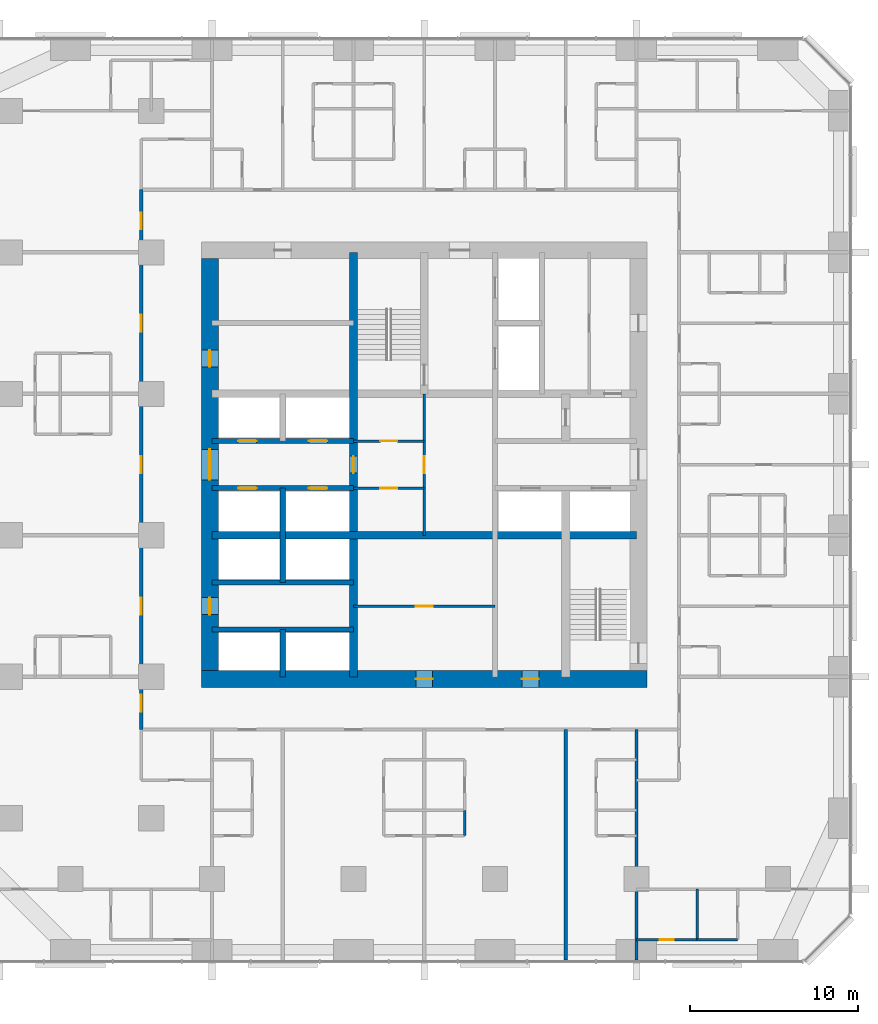
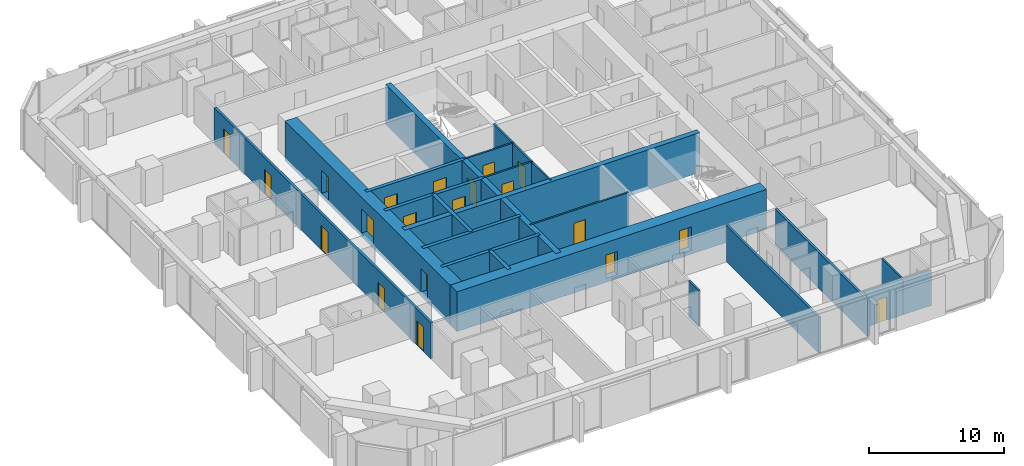
# One storey, part 9 of 14: 21 walls, 20 doors, 20 openings.
"""IFC4 building model written with IfcOpenShell, lengths in metres."""

from ifc_helpers import new_model, si_unit, direction, frame, frame_2d, origin, place, context, subcontext, project, spatial, rectangle, extrude, material, layer, layer_set, type_object, element, fill, save


model = new_model("IFC4")

# Units and contexts
model_context = context("Model", 3, precision=1e-05, world=origin(), true_north=direction((0.0, 1.0)))
body_context = subcontext(model_context, "Body", "Model", "MODEL_VIEW")
ifc_project = project(units=[si_unit("LENGTHUNIT", "METRE"), si_unit("AREAUNIT", "SQUARE_METRE"), si_unit("VOLUMEUNIT", "CUBIC_METRE"), si_unit("PLANEANGLEUNIT", "RADIAN"), si_unit("MASSUNIT", "GRAM", prefix="KILO")], contexts=[model_context])

# Site, building, storey
site_placement = place(None, origin())
site = spatial("IfcSite", under=ifc_project, at=site_placement, CompositionType="ELEMENT")
building_placement = place(site_placement, origin())
building = spatial("IfcBuilding", under=site, at=building_placement, Name="Dunama Terrace Hotel", CompositionType="ELEMENT")
storey_placement = place(building_placement, frame((0.0, 0.0, 129.60009765625)))
storey = spatial("IfcBuildingStorey", under=building, at=storey_placement, Name="L33", CompositionType="ELEMENT", Elevation=129.60009765625)

# Wall, opening, door
ifc_material_1 = material(Name="Gypsum board partition", Category="masonry")
ifc_layer_1 = layer(ifc_material_1, 0.14990234375)
ifc_layer_set_1 = layer_set([ifc_layer_1], Name="Bathroom partition 150")
wall_type_1 = type_object("IfcWallType", Name="Bathroom partition 150", PredefinedType="PARTITIONING", material=ifc_layer_set_1)
wall_1_placement = place(storey_placement, frame((42.0, 1.199951171875, 0.0), z_axis=(0.0, 0.0, 1.0), x_axis=(1.0, 0.0, 0.0)))
wall_1 = element("IfcWall", 1, at=wall_1_placement, inside=storey, type_object=wall_type_1, Name="Bathroom partition 150 L33", PredefinedType="PARTITIONING", context=body_context, shape_type="SweptSolid", body=[
    extrude(rectangle(XDim=3.60009765625, YDim=0.14990234375, at=frame_2d((1.800048828125, 0.0))), origin(), (0.0, 0.0, 1.0), 3.25),
])
opening_1_placement = place(wall_1_placement, frame((1.375, 0.0, 0.0)))
opening_1 = element("IfcOpeningElement", 2, at=opening_1_placement, cuts=wall_1, Name="Opening L31-33-070", PredefinedType="OPENING", context=body_context, shape_type="SweptSolid", body=[
    extrude(rectangle(XDim=0.85009765625, YDim=2.10009765625, at=frame_2d((0.425048828125, 1.050048828125))), frame((0.0, 0.0849609375, 0.0), z_axis=(0.0, -1.0, 0.0), x_axis=(1.0, 0.0, 0.0)), (0.0, 0.0, 1.0), 0.169921875),
])
ifc_material_2 = material(Name="Timber door with steel frame", Category="steel")
door_type_1 = type_object("IfcDoorType", Name="Bathroom door 850", OperationType="SINGLE_SWING_LEFT", PredefinedType="DOOR", material=ifc_material_2)
door_1_placement = place(opening_1_placement, origin())
door_1 = element("IfcDoor", 3, at=door_1_placement, inside=storey, type_object=door_type_1, Name="Door to en-suite bathroom L31-33-070, type D2", OperationType="SINGLE_SWING_LEFT", OverallHeight=2.10009765625, OverallWidth=0.85009765625, PredefinedType="DOOR", context=body_context, shape_type="SweptSolid", body=[
    extrude(rectangle(XDim=0.85009765625, YDim=2.10009765625, at=frame_2d((0.425048828125, 1.050048828125))), frame((0.0, 0.02490234375, 0.0), z_axis=(0.0, -1.0, 0.0), x_axis=(1.0, 0.0, 0.0)), (0.0, 0.0, 1.0), 0.050048828125),
])
fill(opening_1, door_1)

# Walls
ifc_material_3 = material(Name="Concrete C50/60", Category="concrete")
ifc_layer_2 = layer(ifc_material_3, 0.300048828125)
ifc_layer_set_2 = layer_set([ifc_layer_2], Name="Core inner wall 300")
wall_type_2 = type_object("IfcWallType", Name="Core inner wall 300", PredefinedType="SHEAR", material=ifc_layer_set_2)
wall_2_placement = place(storey_placement, frame((21.0, 16.800048828125, -0.35009765625), z_axis=(0.0, 0.0, 1.0), x_axis=(0.0, 1.0, 0.0)))
element("IfcWall", 4, at=wall_2_placement, inside=storey, type_object=wall_type_2, Name="Core inner wall 300 L33", PredefinedType="SHEAR", context=body_context, shape_type="SweptSolid", body=[
    extrude(rectangle(XDim=2.800048828125, YDim=0.300048828125, at=frame_2d((1.39990234375, 0.0))), origin(), (0.0, 0.0, 1.0), 3.60009765625),
])
wall_3_placement = place(storey_placement, frame((21.0, 22.39990234375, -0.35009765625), z_axis=(0.0, 0.0, 1.0), x_axis=(0.0, 1.0, 0.0)))
element("IfcWall", 5, at=wall_3_placement, inside=storey, type_object=wall_type_2, Name="Core inner wall 300 L33", PredefinedType="SHEAR", context=body_context, shape_type="SweptSolid", body=[
    extrude(rectangle(XDim=5.60009765625, YDim=0.300048828125, at=frame_2d((2.800048828125, 0.0))), origin(), (0.0, 0.0, 1.0), 3.60009765625),
])
for number, where, z_axis, x_axis, name in (
    (6, (16.800048828125, 19.60009765625, -0.35009765625), (0.0, 0.0, 1.0), (1.0, 0.0, 0.0), "Core inner wall 300 L33"),
    (7, (16.800048828125, 22.39990234375, -0.35009765625), (0.0, 0.0, 1.0), (1.0, 0.0, 0.0), "Core inner wall 300 L33"),
):
    element("IfcWall", number, at=place(storey_placement, frame(where, z_axis=z_axis, x_axis=x_axis)), inside=storey, type_object=wall_type_2, Name=name, PredefinedType="SHEAR", context=body_context, shape_type="SweptSolid", body=[
        extrude(rectangle(XDim=8.39990234375, YDim=0.300048828125, at=frame_2d((4.199951171875, 0.0))), origin(), (0.0, 0.0, 1.0), 3.60009765625),
    ])

# Wall, openings, doors
wall_4_placement = place(storey_placement, frame((16.800048828125, 28.0, -0.35009765625), z_axis=(0.0, 0.0, 1.0), x_axis=(1.0, 0.0, 0.0)))
wall_4 = element("IfcWall", 8, at=wall_4_placement, inside=storey, type_object=wall_type_2, Name="Core inner wall 300 L33", PredefinedType="SHEAR", context=body_context, shape_type="SweptSolid", body=[
    extrude(rectangle(XDim=8.39990234375, YDim=0.300048828125, at=frame_2d((4.199951171875, 0.0))), origin(), (0.0, 0.0, 1.0), 3.60009765625),
])
opening_2_placement = place(wall_4_placement, frame((1.550048828125, 0.0, 0.35009765625)))
opening_2 = element("IfcOpeningElement", 9, at=opening_2_placement, cuts=wall_4, Name="Opening L31-33-005", PredefinedType="OPENING", context=body_context, shape_type="SweptSolid", body=[
    extrude(rectangle(XDim=1.10009765625, YDim=2.199951171875, at=frame_2d((0.550048828125, 1.10009765625))), frame((0.0, 0.159912109375, 0.0), z_axis=(0.0, -1.0, 0.0), x_axis=(1.0, 0.0, 0.0)), (0.0, 0.0, 1.0), 0.320068359375),
])
opening_3_placement = place(wall_4_placement, frame((5.75, 0.0, 0.35009765625)))
opening_3 = element("IfcOpeningElement", 10, at=opening_3_placement, cuts=wall_4, Name="Opening L31-33-006", PredefinedType="OPENING", context=body_context, shape_type="SweptSolid", body=[
    extrude(rectangle(XDim=1.10009765625, YDim=2.199951171875, at=frame_2d((0.550048828125, 1.10009765625))), frame((0.0, 0.159912109375, 0.0), z_axis=(0.0, -1.0, 0.0), x_axis=(1.0, 0.0, 0.0)), (0.0, 0.0, 1.0), 0.320068359375),
])
ifc_material_4 = material(Name="Stainless steel lift door", Category="steel")
door_type_2 = type_object("IfcDoorType", Name="Lift landing door 1100", OperationType="DOUBLE_DOOR_SLIDING", PredefinedType="DOOR", material=ifc_material_4)
door_2_placement = place(opening_2_placement, origin())
door_2 = element("IfcDoor", 11, at=door_2_placement, inside=storey, type_object=door_type_2, Name="Landing door PC1 L31-33-005, type LD1", OperationType="DOUBLE_DOOR_SLIDING", OverallHeight=2.199951171875, OverallWidth=1.10009765625, PredefinedType="DOOR", context=body_context, shape_type="SweptSolid", body=[
    extrude(rectangle(XDim=1.10009765625, YDim=2.199951171875, at=frame_2d((0.550048828125, 1.10009765625))), frame((0.0, 0.02490234375, 0.0), z_axis=(0.0, -1.0, 0.0), x_axis=(1.0, 0.0, 0.0)), (0.0, 0.0, 1.0), 0.050048828125),
])
fill(opening_2, door_2)
door_3_placement = place(opening_3_placement, origin())
door_3 = element("IfcDoor", 12, at=door_3_placement, inside=storey, type_object=door_type_2, Name="Landing door PC2 L31-33-006, type LD1", OperationType="DOUBLE_DOOR_SLIDING", OverallHeight=2.199951171875, OverallWidth=1.10009765625, PredefinedType="DOOR", context=body_context, shape_type="SweptSolid", body=[
    extrude(rectangle(XDim=1.10009765625, YDim=2.199951171875, at=frame_2d((0.550048828125, 1.10009765625))), frame((0.0, 0.02490234375, 0.0), z_axis=(0.0, -1.0, 0.0), x_axis=(1.0, 0.0, 0.0)), (0.0, 0.0, 1.0), 0.050048828125),
])
fill(opening_3, door_3)

wall_5_placement = place(storey_placement, frame((16.800048828125, 30.800048828125, -0.35009765625), z_axis=(0.0, 0.0, 1.0), x_axis=(1.0, 0.0, 0.0)))
wall_5 = element("IfcWall", 13, at=wall_5_placement, inside=storey, type_object=wall_type_2, Name="Core inner wall 300 L33", PredefinedType="SHEAR", context=body_context, shape_type="SweptSolid", body=[
    extrude(rectangle(XDim=8.39990234375, YDim=0.300048828125, at=frame_2d((4.199951171875, 0.0))), origin(), (0.0, 0.0, 1.0), 3.60009765625),
])
opening_4_placement = place(wall_5_placement, frame((1.550048828125, 0.0, 0.35009765625)))
opening_4 = element("IfcOpeningElement", 14, at=opening_4_placement, cuts=wall_5, Name="Opening L31-33-007", PredefinedType="OPENING", context=body_context, shape_type="SweptSolid", body=[
    extrude(rectangle(XDim=1.10009765625, YDim=2.199951171875, at=frame_2d((0.550048828125, 1.10009765625))), frame((0.0, 0.159912109375, 0.0), z_axis=(0.0, -1.0, 0.0), x_axis=(1.0, 0.0, 0.0)), (0.0, 0.0, 1.0), 0.320068359375),
])
opening_5_placement = place(wall_5_placement, frame((5.75, 0.0, 0.35009765625)))
opening_5 = element("IfcOpeningElement", 15, at=opening_5_placement, cuts=wall_5, Name="Opening L31-33-008", PredefinedType="OPENING", context=body_context, shape_type="SweptSolid", body=[
    extrude(rectangle(XDim=1.10009765625, YDim=2.199951171875, at=frame_2d((0.550048828125, 1.10009765625))), frame((0.0, 0.159912109375, 0.0), z_axis=(0.0, -1.0, 0.0), x_axis=(1.0, 0.0, 0.0)), (0.0, 0.0, 1.0), 0.320068359375),
])
door_4_placement = place(opening_4_placement, origin())
door_4 = element("IfcDoor", 16, at=door_4_placement, inside=storey, type_object=door_type_2, Name="Landing door PC3 L31-33-007, type LD1", OperationType="DOUBLE_DOOR_SLIDING", OverallHeight=2.199951171875, OverallWidth=1.10009765625, PredefinedType="DOOR", context=body_context, shape_type="SweptSolid", body=[
    extrude(rectangle(XDim=1.10009765625, YDim=2.199951171875, at=frame_2d((0.550048828125, 1.10009765625))), frame((0.0, 0.02490234375, 0.0), z_axis=(0.0, -1.0, 0.0), x_axis=(1.0, 0.0, 0.0)), (0.0, 0.0, 1.0), 0.050048828125),
])
fill(opening_4, door_4)
door_5_placement = place(opening_5_placement, origin())
door_5 = element("IfcDoor", 17, at=door_5_placement, inside=storey, type_object=door_type_2, Name="Landing door PC4 L31-33-008, type LD1", OperationType="DOUBLE_DOOR_SLIDING", OverallHeight=2.199951171875, OverallWidth=1.10009765625, PredefinedType="DOOR", context=body_context, shape_type="SweptSolid", body=[
    extrude(rectangle(XDim=1.10009765625, YDim=2.199951171875, at=frame_2d((0.550048828125, 1.10009765625))), frame((0.0, 0.02490234375, 0.0), z_axis=(0.0, -1.0, 0.0), x_axis=(1.0, 0.0, 0.0)), (0.0, 0.0, 1.0), 0.050048828125),
])
fill(opening_5, door_5)

# Wall, opening, door
ifc_material_5 = material(Name="Concrete C50/60", Category="concrete")
ifc_layer_3 = layer(ifc_material_5, 0.449951171875)
ifc_layer_set_3 = layer_set([ifc_layer_3], Name="Core inner wall 450")
wall_type_3 = type_object("IfcWallType", Name="Core inner wall 450", PredefinedType="SHEAR", material=ifc_layer_set_3)
wall_6_placement = place(storey_placement, frame((25.199951171875, 16.800048828125, -0.35009765625), z_axis=(0.0, 0.0, 1.0), x_axis=(0.0, 1.0, 0.0)))
wall_6 = element("IfcWall", 18, at=wall_6_placement, inside=storey, type_object=wall_type_3, Name="Core inner wall 450 L33", PredefinedType="SHEAR", context=body_context, shape_type="SweptSolid", body=[
    extrude(rectangle(XDim=25.199951171875, YDim=0.449951171875, at=frame_2d((12.60009765625, 0.0))), origin(), (0.0, 0.0, 1.0), 3.60009765625),
])
opening_6_placement = place(wall_6_placement, frame((12.10009765625, 0.0, 0.35009765625)))
opening_6 = element("IfcOpeningElement", 19, at=opening_6_placement, cuts=wall_6, Name="Opening L31-33-086", PredefinedType="OPENING", context=body_context, shape_type="SweptSolid", body=[
    extrude(rectangle(XDim=1.0, YDim=2.10009765625, at=frame_2d((0.5, 1.050048828125))), frame((0.0, 0.23486328125, 0.0), z_axis=(0.0, -1.0, 0.0), x_axis=(1.0, 0.0, 0.0)), (0.0, 0.0, 1.0), 0.469970703125),
])
ifc_material_6 = material(Name="Timber door with steel frame", Category="steel")
door_type_3 = type_object("IfcDoorType", Name="Service door 1000", OperationType="SINGLE_SWING_LEFT", PredefinedType="DOOR", material=ifc_material_6)
door_6_placement = place(opening_6_placement, origin())
door_6 = element("IfcDoor", 20, at=door_6_placement, inside=storey, type_object=door_type_3, Name="Door to guest services passage L31-33-086, type D7", OperationType="SINGLE_SWING_LEFT", OverallHeight=2.10009765625, OverallWidth=1.0, PredefinedType="DOOR", context=body_context, shape_type="SweptSolid", body=[
    extrude(rectangle(XDim=1.0, YDim=2.10009765625, at=frame_2d((0.5, 1.050048828125))), frame((0.0, 0.02490234375, 0.0), z_axis=(0.0, -1.0, 0.0), x_axis=(1.0, 0.0, 0.0)), (0.0, 0.0, 1.0), 0.050048828125),
])
fill(opening_6, door_6)

# Wall
wall_7_placement = place(storey_placement, frame((16.800048828125, 25.199951171875, -0.35009765625), z_axis=(0.0, 0.0, 1.0), x_axis=(1.0, 0.0, 0.0)))
element("IfcWall", 21, at=wall_7_placement, inside=storey, type_object=wall_type_3, Name="Core inner wall 450 L33", PredefinedType="SHEAR", context=body_context, shape_type="SweptSolid", body=[
    extrude(rectangle(XDim=25.199951171875, YDim=0.449951171875, at=frame_2d((12.60009765625, 0.0))), origin(), (0.0, 0.0, 1.0), 3.60009765625),
])

# Wall, openings, doors
ifc_material_7 = material(Name="Concrete C60/75", Category="concrete")
ifc_layer_4 = layer(ifc_material_7, 1.0)
ifc_layer_set_4 = layer_set([ifc_layer_4], Name="Core wall 1000")
wall_type_4 = type_object("IfcWallType", Name="Core wall 1000", PredefinedType="SHEAR", material=ifc_layer_set_4)
wall_8_placement = place(storey_placement, frame((16.175048828125, 16.675048828125, -0.35009765625), z_axis=(0.0, 0.0, 1.0), x_axis=(1.0, 0.0, 0.0)))
wall_8 = element("IfcWall", 22, at=wall_8_placement, inside=storey, type_object=wall_type_4, Name="Core wall south L33", PredefinedType="SHEAR", context=body_context, shape_type="SweptSolid", body=[
    extrude(rectangle(XDim=26.449951171875, YDim=1.0, at=frame_2d((13.22509765625, 0.0))), origin(), (0.0, 0.0, 1.0), 3.60009765625),
])
opening_7_placement = place(wall_8_placement, frame((12.72509765625, 0.0, 0.35009765625)))
opening_7 = element("IfcOpeningElement", 23, at=opening_7_placement, cuts=wall_8, Name="Opening L31-33-096", PredefinedType="OPENING", context=body_context, shape_type="SweptSolid", body=[
    extrude(rectangle(XDim=1.0, YDim=2.10009765625, at=frame_2d((0.5, 1.050048828125))), frame((0.0, 0.510009765625, 0.0), z_axis=(0.0, -1.0, 0.0), x_axis=(1.0, 0.0, 0.0)), (0.0, 0.0, 1.0), 1.02001953125),
])
opening_8_placement = place(wall_8_placement, frame((19.02490234375, 0.0, 0.35009765625)))
opening_8 = element("IfcOpeningElement", 24, at=opening_8_placement, cuts=wall_8, Name="Opening L31-33-098", PredefinedType="OPENING", context=body_context, shape_type="SweptSolid", body=[
    extrude(rectangle(XDim=1.0, YDim=2.10009765625, at=frame_2d((0.5, 1.050048828125))), frame((0.0, 0.510009765625, 0.0), z_axis=(0.0, -1.0, 0.0), x_axis=(1.0, 0.0, 0.0)), (0.0, 0.0, 1.0), 1.02001953125),
])
door_7_placement = place(opening_7_placement, origin())
door_7 = element("IfcDoor", 25, at=door_7_placement, inside=storey, type_object=door_type_3, Name="Door to corridor air handling room L31-33-096, type D7", OperationType="SINGLE_SWING_LEFT", OverallHeight=2.10009765625, OverallWidth=1.0, PredefinedType="DOOR", context=body_context, shape_type="SweptSolid", body=[
    extrude(rectangle(XDim=1.0, YDim=2.10009765625, at=frame_2d((0.5, 1.050048828125))), frame((0.0, 0.02490234375, 0.0), z_axis=(0.0, -1.0, 0.0), x_axis=(1.0, 0.0, 0.0)), (0.0, 0.0, 1.0), 0.050048828125),
])
fill(opening_7, door_7)
door_8_placement = place(opening_8_placement, origin())
door_8 = element("IfcDoor", 26, at=door_8_placement, inside=storey, type_object=door_type_3, Name="Door to water riser room L31-33-098, type D7", OperationType="SINGLE_SWING_RIGHT", OverallHeight=2.10009765625, OverallWidth=1.0, PredefinedType="DOOR", context=body_context, shape_type="SweptSolid", body=[
    extrude(rectangle(XDim=1.0, YDim=2.10009765625, at=frame_2d((0.5, 1.050048828125))), frame((0.0, 0.02490234375, 0.0), z_axis=(0.0, -1.0, 0.0), x_axis=(1.0, 0.0, 0.0)), (0.0, 0.0, 1.0), 0.050048828125),
])
fill(opening_8, door_8)

wall_9_placement = place(storey_placement, frame((16.675048828125, 41.625, -0.35009765625), z_axis=(0.0, 0.0, 1.0), x_axis=(0.0, -1.0, 0.0)))
wall_9 = element("IfcWall", 27, at=wall_9_placement, inside=storey, type_object=wall_type_4, Name="Core wall west L33", PredefinedType="SHEAR", context=body_context, shape_type="SweptSolid", body=[
    extrude(rectangle(XDim=24.449951171875, YDim=1.0, at=frame_2d((12.22509765625, 0.0))), origin(), (0.0, 0.0, 1.0), 3.60009765625),
])
opening_9_placement = place(wall_9_placement, frame((11.324951171875, 0.0, 0.35009765625)))
opening_9 = element("IfcOpeningElement", 28, at=opening_9_placement, cuts=wall_9, Name="Opening L31-33-082", PredefinedType="OPENING", context=body_context, shape_type="SweptSolid", body=[
    extrude(rectangle(XDim=1.800048828125, YDim=2.199951171875, at=frame_2d((0.89990234375, 1.10009765625))), frame((0.0, 0.510009765625, 0.0), z_axis=(0.0, -1.0, 0.0), x_axis=(1.0, 0.0, 0.0)), (0.0, 0.0, 1.0), 1.02001953125),
])
opening_10_placement = place(wall_9_placement, frame((20.125, 0.0, 0.35009765625)))
opening_10 = element("IfcOpeningElement", 29, at=opening_10_placement, cuts=wall_9, Name="Opening L31-33-083", PredefinedType="OPENING", context=body_context, shape_type="SweptSolid", body=[
    extrude(rectangle(XDim=1.0, YDim=2.10009765625, at=frame_2d((0.5, 1.050048828125))), frame((0.0, 0.510009765625, 0.0), z_axis=(0.0, -1.0, 0.0), x_axis=(1.0, 0.0, 0.0)), (0.0, 0.0, 1.0), 1.02001953125),
])
opening_11_placement = place(wall_9_placement, frame((5.425048828125, 0.0, 0.35009765625)))
opening_11 = element("IfcOpeningElement", 30, at=opening_11_placement, cuts=wall_9, Name="Opening L31-33-084", PredefinedType="OPENING", context=body_context, shape_type="SweptSolid", body=[
    extrude(rectangle(XDim=1.0, YDim=2.10009765625, at=frame_2d((0.5, 1.050048828125))), frame((0.0, 0.510009765625, 0.0), z_axis=(0.0, -1.0, 0.0), x_axis=(1.0, 0.0, 0.0)), (0.0, 0.0, 1.0), 1.02001953125),
])
ifc_material_8 = material(Name="Timber door with steel frame", Category="steel")
door_type_4 = type_object("IfcDoorType", Name="Lift lobby double door 1800", OperationType="DOUBLE_DOOR_DOUBLE_SWING", PredefinedType="DOOR", material=ifc_material_8)
door_9_placement = place(opening_9_placement, origin())
door_9 = element("IfcDoor", 31, at=door_9_placement, inside=storey, type_object=door_type_4, Name="Door to lift lobby L31-33-082, type D3", OperationType="DOUBLE_DOOR_DOUBLE_SWING", OverallHeight=2.199951171875, OverallWidth=1.800048828125, PredefinedType="DOOR", context=body_context, shape_type="SweptSolid", body=[
    extrude(rectangle(XDim=1.800048828125, YDim=2.199951171875, at=frame_2d((0.89990234375, 1.10009765625))), frame((0.0, 0.02490234375, 0.0), z_axis=(0.0, -1.0, 0.0), x_axis=(1.0, 0.0, 0.0)), (0.0, 0.0, 1.0), 0.050048828125),
])
fill(opening_9, door_9)
door_10_placement = place(opening_10_placement, origin())
door_10 = element("IfcDoor", 32, at=door_10_placement, inside=storey, type_object=door_type_3, Name="Door to service lobby L31-33-083, type D7", OperationType="SINGLE_SWING_LEFT", OverallHeight=2.10009765625, OverallWidth=1.0, PredefinedType="DOOR", context=body_context, shape_type="SweptSolid", body=[
    extrude(rectangle(XDim=1.0, YDim=2.10009765625, at=frame_2d((0.5, 1.050048828125))), frame((0.0, 0.02490234375, 0.0), z_axis=(0.0, -1.0, 0.0), x_axis=(1.0, 0.0, 0.0)), (0.0, 0.0, 1.0), 0.050048828125),
])
fill(opening_10, door_10)
door_11_placement = place(opening_11_placement, origin())
door_11 = element("IfcDoor", 33, at=door_11_placement, inside=storey, type_object=door_type_3, Name="Door to electrical room L31-33-084, type D7", OperationType="SINGLE_SWING_RIGHT", OverallHeight=2.10009765625, OverallWidth=1.0, PredefinedType="DOOR", context=body_context, shape_type="SweptSolid", body=[
    extrude(rectangle(XDim=1.0, YDim=2.10009765625, at=frame_2d((0.5, 1.050048828125))), frame((0.0, 0.02490234375, 0.0), z_axis=(0.0, -1.0, 0.0), x_axis=(1.0, 0.0, 0.0)), (0.0, 0.0, 1.0), 0.050048828125),
])
fill(opening_11, door_11)

ifc_material_9 = material(Name="Concrete blockwork", Category="masonry")
ifc_layer_5 = layer(ifc_material_9, 0.199951171875)
ifc_layer_set_5 = layer_set([ifc_layer_5], Name="Corridor partition 200")
wall_type_5 = type_object("IfcWallType", Name="Corridor partition 200", PredefinedType="PARTITIONING", material=ifc_layer_set_5)
wall_10_placement = place(storey_placement, frame((12.60009765625, 13.675048828125, 0.0), z_axis=(0.0, 0.0, 1.0), x_axis=(0.0, 1.0, 0.0)))
wall_10 = element("IfcWall", 34, at=wall_10_placement, inside=storey, type_object=wall_type_5, Name="Corridor partition 200 L33", PredefinedType="PARTITIONING", context=body_context, shape_type="SweptSolid", body=[
    extrude(rectangle(XDim=32.050048828125, YDim=0.199951171875, at=frame_2d((16.02490234375, 0.0))), origin(), (0.0, 0.0, 1.0), 3.25),
])
opening_12_placement = place(wall_10_placement, frame((6.824951171875, 0.0, 0.0)))
opening_12 = element("IfcOpeningElement", 35, at=opening_12_placement, cuts=wall_10, Name="Opening L31-33-053", PredefinedType="OPENING", context=body_context, shape_type="SweptSolid", body=[
    extrude(rectangle(XDim=1.0, YDim=2.199951171875, at=frame_2d((0.5, 1.10009765625))), frame((0.0, 0.10986328125, 0.0), z_axis=(0.0, -1.0, 0.0), x_axis=(1.0, 0.0, 0.0)), (0.0, 0.0, 1.0), 0.219970703125),
])
opening_13_placement = place(wall_10_placement, frame((15.22509765625, 0.0, 0.0)))
opening_13 = element("IfcOpeningElement", 36, at=opening_13_placement, cuts=wall_10, Name="Opening L31-33-056", PredefinedType="OPENING", context=body_context, shape_type="SweptSolid", body=[
    extrude(rectangle(XDim=1.0, YDim=2.199951171875, at=frame_2d((0.5, 1.10009765625))), frame((0.0, 0.10986328125, 0.0), z_axis=(0.0, -1.0, 0.0), x_axis=(1.0, 0.0, 0.0)), (0.0, 0.0, 1.0), 0.219970703125),
])
opening_14_placement = place(wall_10_placement, frame((23.625, 0.0, 0.0)))
opening_14 = element("IfcOpeningElement", 37, at=opening_14_placement, cuts=wall_10, Name="Opening L31-33-059", PredefinedType="OPENING", context=body_context, shape_type="SweptSolid", body=[
    extrude(rectangle(XDim=1.0, YDim=2.199951171875, at=frame_2d((0.5, 1.10009765625))), frame((0.0, 0.10986328125, 0.0), z_axis=(0.0, -1.0, 0.0), x_axis=(1.0, 0.0, 0.0)), (0.0, 0.0, 1.0), 0.219970703125),
])
opening_15_placement = place(wall_10_placement, frame((1.06298828125, 0.0, 0.0)))
opening_15 = element("IfcOpeningElement", 38, at=opening_15_placement, cuts=wall_10, Name="Opening L31-33-062", PredefinedType="OPENING", context=body_context, shape_type="SweptSolid", body=[
    extrude(rectangle(XDim=1.0, YDim=2.199951171875, at=frame_2d((0.5, 1.10009765625))), frame((0.0, 0.10986328125, 0.0), z_axis=(0.0, -1.0, 0.0), x_axis=(1.0, 0.0, 0.0)), (0.0, 0.0, 1.0), 0.219970703125),
])
opening_16_placement = place(wall_10_placement, frame((29.68701171875, 0.0, 0.0)))
opening_16 = element("IfcOpeningElement", 39, at=opening_16_placement, cuts=wall_10, Name="Opening L31-33-077", PredefinedType="OPENING", context=body_context, shape_type="SweptSolid", body=[
    extrude(rectangle(XDim=1.0, YDim=2.199951171875, at=frame_2d((0.5, 1.10009765625))), frame((0.0, 0.10986328125, 0.0), z_axis=(0.0, -1.0, 0.0), x_axis=(1.0, 0.0, 0.0)), (0.0, 0.0, 1.0), 0.219970703125),
])
ifc_material_10 = material(Name="Timber door with steel frame", Category="steel")
door_type_5 = type_object("IfcDoorType", Name="Guest room door 1000", OperationType="SINGLE_SWING_LEFT", PredefinedType="DOOR", material=ifc_material_10)
door_12_placement = place(opening_12_placement, origin())
door_12 = element("IfcDoor", 40, at=door_12_placement, inside=storey, type_object=door_type_5, Name="Door to junior suite L31-33-053, type D1", OperationType="SINGLE_SWING_LEFT", OverallHeight=2.199951171875, OverallWidth=1.0, PredefinedType="DOOR", context=body_context, shape_type="SweptSolid", body=[
    extrude(rectangle(XDim=1.0, YDim=2.199951171875, at=frame_2d((0.5, 1.10009765625))), frame((0.0, 0.02490234375, 0.0), z_axis=(0.0, -1.0, 0.0), x_axis=(1.0, 0.0, 0.0)), (0.0, 0.0, 1.0), 0.050048828125),
])
fill(opening_12, door_12)
door_13_placement = place(opening_13_placement, origin())
door_13 = element("IfcDoor", 41, at=door_13_placement, inside=storey, type_object=door_type_5, Name="Door to junior suite L31-33-056, type D1", OperationType="SINGLE_SWING_RIGHT", OverallHeight=2.199951171875, OverallWidth=1.0, PredefinedType="DOOR", context=body_context, shape_type="SweptSolid", body=[
    extrude(rectangle(XDim=1.0, YDim=2.199951171875, at=frame_2d((0.5, 1.10009765625))), frame((0.0, 0.02490234375, 0.0), z_axis=(0.0, -1.0, 0.0), x_axis=(1.0, 0.0, 0.0)), (0.0, 0.0, 1.0), 0.050048828125),
])
fill(opening_13, door_13)
door_14_placement = place(opening_14_placement, origin())
door_14 = element("IfcDoor", 42, at=door_14_placement, inside=storey, type_object=door_type_5, Name="Door to junior suite L31-33-059, type D1", OperationType="SINGLE_SWING_LEFT", OverallHeight=2.199951171875, OverallWidth=1.0, PredefinedType="DOOR", context=body_context, shape_type="SweptSolid", body=[
    extrude(rectangle(XDim=1.0, YDim=2.199951171875, at=frame_2d((0.5, 1.10009765625))), frame((0.0, 0.02490234375, 0.0), z_axis=(0.0, -1.0, 0.0), x_axis=(1.0, 0.0, 0.0)), (0.0, 0.0, 1.0), 0.050048828125),
])
fill(opening_14, door_14)
door_15_placement = place(opening_15_placement, origin())
door_15 = element("IfcDoor", 43, at=door_15_placement, inside=storey, type_object=door_type_5, Name="Door to corner suite living room L31-33-062, type D1", OperationType="SINGLE_SWING_RIGHT", OverallHeight=2.199951171875, OverallWidth=1.0, PredefinedType="DOOR", context=body_context, shape_type="SweptSolid", body=[
    extrude(rectangle(XDim=1.0, YDim=2.199951171875, at=frame_2d((0.5, 1.10009765625))), frame((0.0, 0.02490234375, 0.0), z_axis=(0.0, -1.0, 0.0), x_axis=(1.0, 0.0, 0.0)), (0.0, 0.0, 1.0), 0.050048828125),
])
fill(opening_15, door_15)
door_16_placement = place(opening_16_placement, origin())
door_16 = element("IfcDoor", 44, at=door_16_placement, inside=storey, type_object=door_type_5, Name="Door to corner suite living room L31-33-077, type D1", OperationType="SINGLE_SWING_LEFT", OverallHeight=2.199951171875, OverallWidth=1.0, PredefinedType="DOOR", context=body_context, shape_type="SweptSolid", body=[
    extrude(rectangle(XDim=1.0, YDim=2.199951171875, at=frame_2d((0.5, 1.10009765625))), frame((0.0, 0.02490234375, 0.0), z_axis=(0.0, -1.0, 0.0), x_axis=(1.0, 0.0, 0.0)), (0.0, 0.0, 1.0), 0.050048828125),
])
fill(opening_16, door_16)

# Walls
ifc_material_11 = material(Name="Concrete blockwork", Category="masonry")
ifc_layer_6 = layer(ifc_material_11, 0.199951171875)
ifc_layer_set_6 = layer_set([ifc_layer_6], Name="Party wall 200")
wall_type_6 = type_object("IfcWallType", Name="Party wall 200", PredefinedType="PARTITIONING", material=ifc_layer_set_6)
for number, where, z_axis, x_axis, name in (
    (45, (37.800048828125, -0.01806640625, 0.0), (0.0, 0.0, 1.0), (0.0, 1.0, 0.0), "Party wall 200 L33"),
    (46, (42.0, -0.01806640625, 0.0), (0.0, 0.0, 1.0), (0.0, 1.0, 0.0), "Party wall 200 L33"),
):
    element("IfcWall", number, at=place(storey_placement, frame(where, z_axis=z_axis, x_axis=x_axis)), inside=storey, type_object=wall_type_6, Name=name, PredefinedType="PARTITIONING", context=body_context, shape_type="SweptSolid", body=[
        extrude(rectangle(XDim=13.693115234375, YDim=0.199951171875, at=frame_2d((6.8466796875, 0.0))), origin(), (0.0, 0.0, 1.0), 3.25),
    ])

# Wall, opening, door
ifc_material_12 = material(Name="Gypsum board partition", Category="masonry")
ifc_layer_7 = layer(ifc_material_12, 0.14990234375)
ifc_layer_set_7 = layer_set([ifc_layer_7], Name="Room partition 150")
wall_type_7 = type_object("IfcWallType", Name="Room partition 150", PredefinedType="PARTITIONING", material=ifc_layer_set_7)
wall_11_placement = place(storey_placement, frame((29.39990234375, 25.199951171875, 0.0), z_axis=(0.0, 0.0, 1.0), x_axis=(0.0, 1.0, 0.0)))
wall_11 = element("IfcWall", 47, at=wall_11_placement, inside=storey, type_object=wall_type_7, Name="Room partition 150 L33", PredefinedType="PARTITIONING", context=body_context, shape_type="SweptSolid", body=[
    extrude(rectangle(XDim=8.400146484375, YDim=0.14990234375, at=frame_2d((4.2001953125, 0.0))), origin(), (0.0, 0.0, 1.0), 3.25),
])
opening_17_placement = place(wall_11_placement, frame((3.699951171875, 0.0, 0.0)))
opening_17 = element("IfcOpeningElement", 48, at=opening_17_placement, cuts=wall_11, Name="Opening L31-33-089", PredefinedType="OPENING", context=body_context, shape_type="SweptSolid", body=[
    extrude(rectangle(XDim=1.0, YDim=2.10009765625, at=frame_2d((0.5, 1.050048828125))), frame((0.0, 0.0849609375, 0.0), z_axis=(0.0, -1.0, 0.0), x_axis=(1.0, 0.0, 0.0)), (0.0, 0.0, 1.0), 0.169921875),
])
door_17_placement = place(opening_17_placement, frame((1.0, 0.0, 0.0), z_axis=(0.0, 0.0, 1.0), x_axis=(-1.0, 0.0, 0.0)))
door_17 = element("IfcDoor", 49, at=door_17_placement, inside=storey, type_object=door_type_3, Name="Door to guest laundry room L31-33-089, type D7", OperationType="SINGLE_SWING_RIGHT", OverallHeight=2.10009765625, OverallWidth=1.0, PredefinedType="DOOR", context=body_context, shape_type="SweptSolid", body=[
    extrude(rectangle(XDim=1.0, YDim=2.10009765625, at=frame_2d((0.5, 1.050048828125))), frame((0.0, 0.025146484375, 0.0), z_axis=(0.0, -1.0, 0.0), x_axis=(1.0, 0.0, 0.0)), (0.0, 0.0, 1.0), 0.050048828125),
])
fill(opening_17, door_17)

# Walls
wall_12_placement = place(storey_placement, frame((31.800048828125, 7.375, 0.0), z_axis=(0.0, 0.0, 1.0), x_axis=(0.0, 1.0, 0.0)))
element("IfcWall", 50, at=wall_12_placement, inside=storey, type_object=wall_type_7, Name="Room partition 150 L33", PredefinedType="PARTITIONING", context=body_context, shape_type="SweptSolid", body=[
    extrude(rectangle(XDim=1.5, YDim=0.14990234375, at=frame_2d((0.75, 0.0))), origin(), (0.0, 0.0, 1.0), 3.25),
])
wall_13_placement = place(storey_placement, frame((45.60009765625, 1.199951171875, 0.0), z_axis=(0.0, 0.0, 1.0), x_axis=(0.0, 1.0, 0.0)))
element("IfcWall", 51, at=wall_13_placement, inside=storey, type_object=wall_type_7, Name="Room partition 150 L33", PredefinedType="PARTITIONING", context=body_context, shape_type="SweptSolid", body=[
    extrude(rectangle(XDim=3.0, YDim=0.14990234375, at=frame_2d((1.5, 0.0))), origin(), (0.0, 0.0, 1.0), 3.25),
])
wall_14_placement = place(storey_placement, frame((45.60009765625, 1.199951171875, 0.0), z_axis=(0.0, 0.0, 1.0), x_axis=(1.0, 0.0, 0.0)))
element("IfcWall", 52, at=wall_14_placement, inside=storey, type_object=wall_type_7, Name="Room partition 150 L33", PredefinedType="PARTITIONING", context=body_context, shape_type="SweptSolid", body=[
    extrude(rectangle(XDim=2.39990234375, YDim=0.14990234375, at=frame_2d((1.199951171875, 0.0))), origin(), (0.0, 0.0, 1.0), 3.25),
])

# Wall, opening, door
wall_15_placement = place(storey_placement, frame((25.199951171875, 21.0, 0.0), z_axis=(0.0, 0.0, 1.0), x_axis=(1.0, 0.0, 0.0)))
wall_15 = element("IfcWall", 53, at=wall_15_placement, inside=storey, type_object=wall_type_7, Name="Room partition 150 L33", PredefinedType="PARTITIONING", context=body_context, shape_type="SweptSolid", body=[
    extrude(rectangle(XDim=8.400146484375, YDim=0.14990234375, at=frame_2d((4.2001953125, 0.0))), origin(), (0.0, 0.0, 1.0), 3.25),
])
opening_18_placement = place(wall_15_placement, frame((3.699951171875, 0.0, 0.0)))
opening_18 = element("IfcOpeningElement", 54, at=opening_18_placement, cuts=wall_15, Name="Opening L31-33-097", PredefinedType="OPENING", context=body_context, shape_type="SweptSolid", body=[
    extrude(rectangle(XDim=1.0, YDim=2.10009765625, at=frame_2d((0.5, 1.050048828125))), frame((0.0, 0.0849609375, 0.0), z_axis=(0.0, -1.0, 0.0), x_axis=(1.0, 0.0, 0.0)), (0.0, 0.0, 1.0), 0.169921875),
])
door_18_placement = place(opening_18_placement, origin())
door_18 = element("IfcDoor", 55, at=door_18_placement, inside=storey, type_object=door_type_3, Name="Door to stair pressurisation fan room L31-33-097, type D7", OperationType="SINGLE_SWING_LEFT", OverallHeight=2.10009765625, OverallWidth=1.0, PredefinedType="DOOR", context=body_context, shape_type="SweptSolid", body=[
    extrude(rectangle(XDim=1.0, YDim=2.10009765625, at=frame_2d((0.5, 1.050048828125))), frame((0.0, 0.02490234375, 0.0), z_axis=(0.0, -1.0, 0.0), x_axis=(1.0, 0.0, 0.0)), (0.0, 0.0, 1.0), 0.050048828125),
])
fill(opening_18, door_18)

wall_16_placement = place(storey_placement, frame((25.199951171875, 28.0, 0.0), z_axis=(0.0, 0.0, 1.0), x_axis=(1.0, 0.0, 0.0)))
wall_16 = element("IfcWall", 56, at=wall_16_placement, inside=storey, type_object=wall_type_7, Name="Room partition 150 L33", PredefinedType="PARTITIONING", context=body_context, shape_type="SweptSolid", body=[
    extrude(rectangle(XDim=4.199951171875, YDim=0.14990234375, at=frame_2d((2.10009765625, 0.0))), origin(), (0.0, 0.0, 1.0), 3.25),
])
opening_19_placement = place(wall_16_placement, frame((1.60009765625, 0.0, 0.0)))
opening_19 = element("IfcOpeningElement", 57, at=opening_19_placement, cuts=wall_16, Name="Opening L31-33-087", PredefinedType="OPENING", context=body_context, shape_type="SweptSolid", body=[
    extrude(rectangle(XDim=1.0, YDim=2.10009765625, at=frame_2d((0.5, 1.050048828125))), frame((0.0, 0.0849609375, 0.0), z_axis=(0.0, -1.0, 0.0), x_axis=(1.0, 0.0, 0.0)), (0.0, 0.0, 1.0), 0.169921875),
])
door_19_placement = place(opening_19_placement, frame((1.0, 0.0, 0.0), z_axis=(0.0, 0.0, 1.0), x_axis=(-1.0, 0.0, 0.0)))
door_19 = element("IfcDoor", 58, at=door_19_placement, inside=storey, type_object=door_type_3, Name="Door to ice and vending room L31-33-087, type D7", OperationType="SINGLE_SWING_RIGHT", OverallHeight=2.10009765625, OverallWidth=1.0, PredefinedType="DOOR", context=body_context, shape_type="SweptSolid", body=[
    extrude(rectangle(XDim=1.0, YDim=2.10009765625, at=frame_2d((0.5, 1.050048828125))), frame((0.0, 0.025146484375, 0.0), z_axis=(0.0, -1.0, 0.0), x_axis=(1.0, 0.0, 0.0)), (0.0, 0.0, 1.0), 0.050048828125),
])
fill(opening_19, door_19)

wall_17_placement = place(storey_placement, frame((25.199951171875, 30.800048828125, 0.0), z_axis=(0.0, 0.0, 1.0), x_axis=(1.0, 0.0, 0.0)))
wall_17 = element("IfcWall", 59, at=wall_17_placement, inside=storey, type_object=wall_type_7, Name="Room partition 150 L33", PredefinedType="PARTITIONING", context=body_context, shape_type="SweptSolid", body=[
    extrude(rectangle(XDim=4.199951171875, YDim=0.14990234375, at=frame_2d((2.10009765625, 0.0))), origin(), (0.0, 0.0, 1.0), 3.25),
])
opening_20_placement = place(wall_17_placement, frame((1.60009765625, 0.0, 0.0)))
opening_20 = element("IfcOpeningElement", 60, at=opening_20_placement, cuts=wall_17, Name="Opening L31-33-088", PredefinedType="OPENING", context=body_context, shape_type="SweptSolid", body=[
    extrude(rectangle(XDim=1.0, YDim=2.10009765625, at=frame_2d((0.5, 1.050048828125))), frame((0.0, 0.0849609375, 0.0), z_axis=(0.0, -1.0, 0.0), x_axis=(1.0, 0.0, 0.0)), (0.0, 0.0, 1.0), 0.169921875),
])
door_20_placement = place(opening_20_placement, origin())
door_20 = element("IfcDoor", 61, at=door_20_placement, inside=storey, type_object=door_type_3, Name="Door to guest pantry L31-33-088, type D7", OperationType="SINGLE_SWING_LEFT", OverallHeight=2.10009765625, OverallWidth=1.0, PredefinedType="DOOR", context=body_context, shape_type="SweptSolid", body=[
    extrude(rectangle(XDim=1.0, YDim=2.10009765625, at=frame_2d((0.5, 1.050048828125))), frame((0.0, 0.02490234375, 0.0), z_axis=(0.0, -1.0, 0.0), x_axis=(1.0, 0.0, 0.0)), (0.0, 0.0, 1.0), 0.050048828125),
])
fill(opening_20, door_20)

save(model, "model.ifc")
